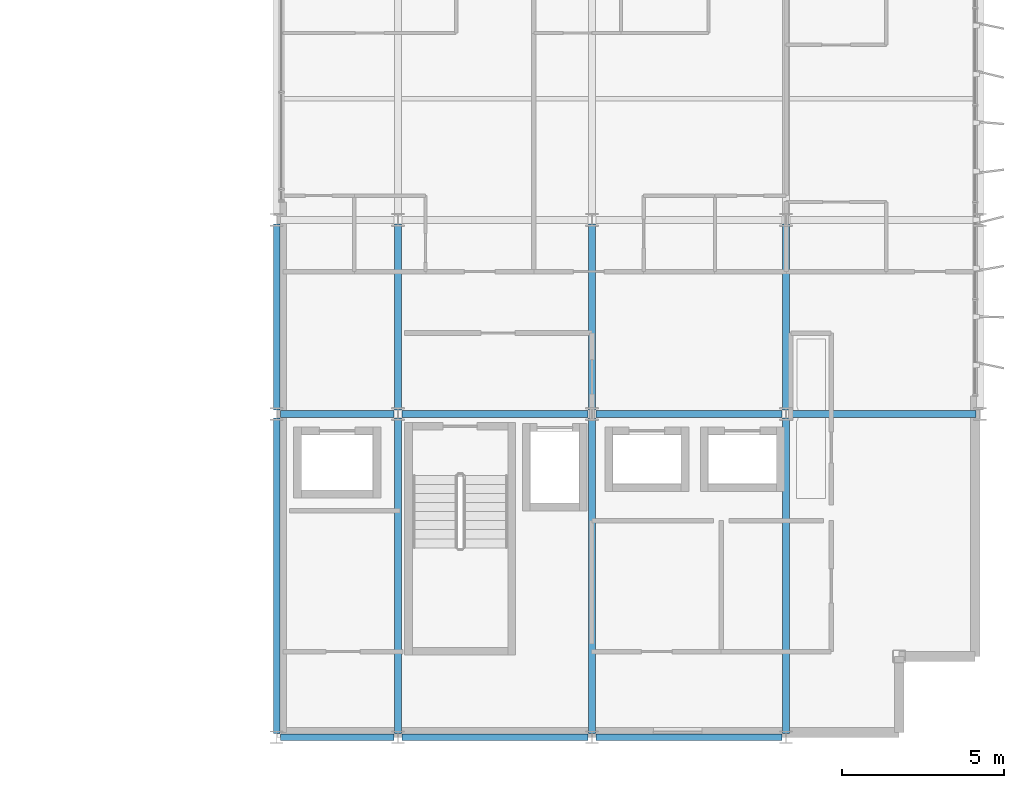
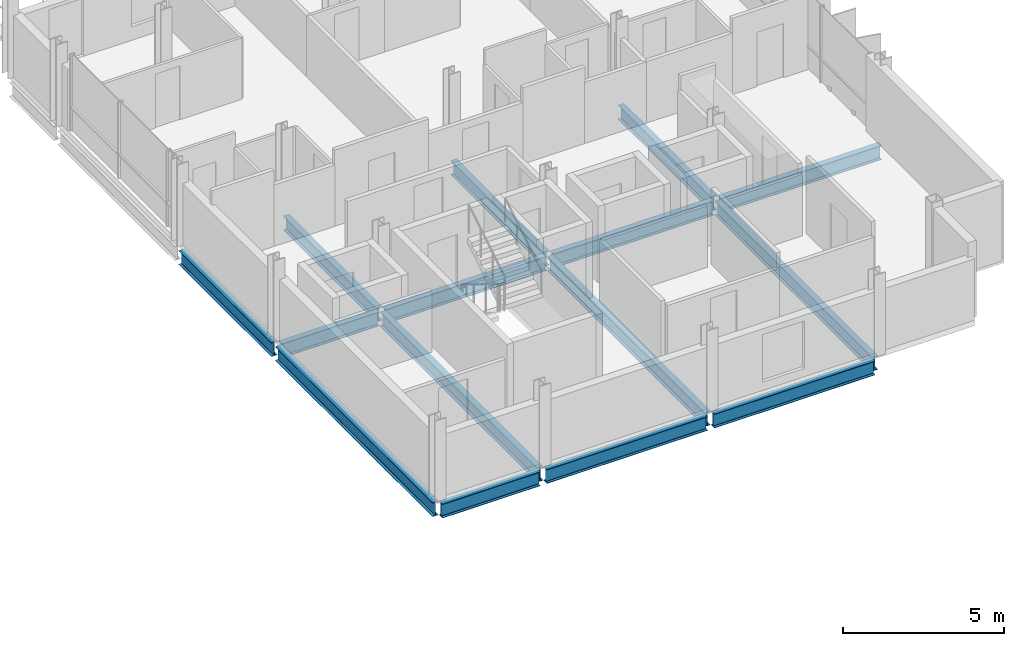
# One storey, part 9 of 29: 15 beams.
"""IFC4 building model written with IfcOpenShell, lengths in metres."""

from ifc_helpers import new_model, si_unit, direction, frame, origin, origin_2d, place, context, subcontext, project, spatial, i_section, extrude, material, material_profile, profile_set, type_object, element, save


model = new_model("IFC4")

# Units and contexts
model_context = context("Model", 3, precision=1e-05, world=origin(), true_north=direction((0.0, 1.0)))
body_context = subcontext(model_context, "Body", "Model", "MODEL_VIEW")
ifc_project = project(units=[si_unit("LENGTHUNIT", "METRE"), si_unit("AREAUNIT", "SQUARE_METRE"), si_unit("VOLUMEUNIT", "CUBIC_METRE"), si_unit("PLANEANGLEUNIT", "RADIAN"), si_unit("MASSUNIT", "GRAM", prefix="KILO")], contexts=[model_context])

# Site, building, storey
site_placement = place(None, origin())
site = spatial("IfcSite", under=ifc_project, at=site_placement, CompositionType="ELEMENT")
building_placement = place(site_placement, origin())
building = spatial("IfcBuilding", under=site, at=building_placement, Name="Brevholm Reach", CompositionType="ELEMENT")
storey_placement = place(building_placement, frame((0.0, 0.0, 198.699951171875)))
storey = spatial("IfcBuildingStorey", under=building, at=storey_placement, Name="L60", CompositionType="ELEMENT", Elevation=198.699951171875)

# Beams
ifc_material_1 = material(Name="Structural Steel S355J2", Category="steel")
ifc_material_profile_1 = material_profile(ifc_material_1, i_section(OverallWidth=0.209228515625, OverallDepth=0.533203125, WebThickness=0.010009765625, FlangeThickness=0.015625, FilletRadius=0.0126953125, at=origin_2d()), Name="UKB 533x210x92")
ifc_profile_set_1 = profile_set([ifc_material_profile_1], Name="Structural Steel S355J2")
beam_type_1 = type_object("IfcBeamType", Name="BM-SP533", PredefinedType="SPANDREL", material=ifc_profile_set_1)
beam_1_placement = place(storey_placement, frame((38.3701171875, 0.0, -0.4765625), z_axis=(1.0, 0.0, 0.0), x_axis=(0.0, 1.0, 0.0)))
element("IfcBeam", 1, at=beam_1_placement, inside=storey, type_object=beam_type_1, Name="L60 SP-02 Framing Beam", PredefinedType="SPANDREL", context=body_context, shape_type="SweptSolid", body=[
    extrude(i_section(OverallWidth=0.209228515625, OverallDepth=0.533203125, WebThickness=0.010009765625, FlangeThickness=0.015625, FilletRadius=0.0126953125, at=origin_2d()), origin(), (0.0, 0.0, 1.0), 3.509765625),
])
for number, where, z_axis, x_axis, name in (
    (2, (42.1201171875, 0.0, -0.4765625), (1.0, 0.0, 0.0), (0.0, 1.0, 0.0), "L60 SP-02 Framing Beam"),
    (3, (48.1201171875, 0.0, -0.4765625), (1.0, 0.0, 0.0), (0.0, 1.0, 0.0), "L60 SP-02 Framing Beam"),
):
    element("IfcBeam", number, at=place(storey_placement, frame(where, z_axis=z_axis, x_axis=x_axis)), inside=storey, type_object=beam_type_1, Name=name, PredefinedType="SPANDREL", context=body_context, shape_type="SweptSolid", body=[
        extrude(i_section(OverallWidth=0.209228515625, OverallDepth=0.533203125, WebThickness=0.010009765625, FlangeThickness=0.015625, FilletRadius=0.0126953125, at=origin_2d()), origin(), (0.0, 0.0, 1.0), 5.759765625),
    ])
beam_2_placement = place(storey_placement, frame((38.25, 0.1201171875, -0.4765625), z_axis=(0.0, 1.0, 0.0), x_axis=(-1.0, 0.0, 0.0)))
element("IfcBeam", 4, at=beam_2_placement, inside=storey, type_object=beam_type_1, Name="L60 SP-02 Framing Beam", PredefinedType="SPANDREL", context=body_context, shape_type="SweptSolid", body=[
    extrude(i_section(OverallWidth=0.209228515625, OverallDepth=0.533203125, WebThickness=0.010009765625, FlangeThickness=0.015625, FilletRadius=0.0126953125, at=origin_2d()), origin(), (0.0, 0.0, 1.0), 9.759765625),
])
beam_3_placement = place(storey_placement, frame((38.25, 10.1201171875, -0.4765625), z_axis=(0.0, 1.0, 0.0), x_axis=(-1.0, 0.0, 0.0)))
element("IfcBeam", 5, at=beam_3_placement, inside=storey, type_object=beam_type_1, Name="L60 SP-02 Framing Beam", PredefinedType="SPANDREL", context=body_context, shape_type="SweptSolid", body=[
    extrude(i_section(OverallWidth=0.209228515625, OverallDepth=0.533203125, WebThickness=0.010009765625, FlangeThickness=0.015625, FilletRadius=0.0126953125, at=origin_2d()), origin(), (0.0, 0.0, 1.0), 5.759765625),
])
ifc_material_2 = material(Name="Structural Steel S355J2", Category="steel")
ifc_material_profile_2 = material_profile(ifc_material_2, i_section(OverallWidth=0.210693359375, OverallDepth=0.53955078125, WebThickness=0.01171875, FlangeThickness=0.018798828125, FilletRadius=0.0126953125, at=origin_2d()), Name="UKB 533x210x109")
ifc_profile_set_2 = profile_set([ifc_material_profile_2], Name="Structural Steel S355J2")
beam_type_2 = type_object("IfcBeamType", Name="BM-SP539", PredefinedType="SPANDREL", material=ifc_profile_set_2)
beam_4_placement = place(storey_placement, frame((38.3701171875, 10.0, -0.479736328125), z_axis=(1.0, 0.0, 0.0), x_axis=(0.0, 1.0, 0.0)))
element("IfcBeam", 6, at=beam_4_placement, inside=storey, type_object=beam_type_2, Name="L60 SP-01B Framing Beam", PredefinedType="SPANDREL", context=body_context, shape_type="SweptSolid", body=[
    extrude(i_section(OverallWidth=0.210693359375, OverallDepth=0.53955078125, WebThickness=0.01171875, FlangeThickness=0.018798828125, FilletRadius=0.0126953125, at=origin_2d()), origin(), (0.0, 0.0, 1.0), 3.509765625),
])
for number, where, z_axis, x_axis, name in (
    (7, (42.1201171875, 10.0, -0.479736328125), (1.0, 0.0, 0.0), (0.0, 1.0, 0.0), "L60 SP-01B Framing Beam"),
    (8, (48.1201171875, 10.0, -0.479736328125), (1.0, 0.0, 0.0), (0.0, 1.0, 0.0), "L60 SP-01B Framing Beam"),
    (9, (54.1201171875, 10.0, -0.479736328125), (1.0, 0.0, 0.0), (0.0, 1.0, 0.0), "L60 SP-01B Framing Beam"),
):
    element("IfcBeam", number, at=place(storey_placement, frame(where, z_axis=z_axis, x_axis=x_axis)), inside=storey, type_object=beam_type_2, Name=name, PredefinedType="SPANDREL", context=body_context, shape_type="SweptSolid", body=[
        extrude(i_section(OverallWidth=0.210693359375, OverallDepth=0.53955078125, WebThickness=0.01171875, FlangeThickness=0.018798828125, FilletRadius=0.0126953125, at=origin_2d()), origin(), (0.0, 0.0, 1.0), 5.759765625),
    ])
beam_5_placement = place(storey_placement, frame((42.0, 0.1201171875, -0.479736328125), z_axis=(0.0, 1.0, 0.0), x_axis=(-1.0, 0.0, 0.0)))
element("IfcBeam", 10, at=beam_5_placement, inside=storey, type_object=beam_type_2, Name="L60 SP-01B Framing Beam", PredefinedType="SPANDREL", context=body_context, shape_type="SweptSolid", body=[
    extrude(i_section(OverallWidth=0.210693359375, OverallDepth=0.53955078125, WebThickness=0.01171875, FlangeThickness=0.018798828125, FilletRadius=0.0126953125, at=origin_2d()), origin(), (0.0, 0.0, 1.0), 9.759765625),
])
beam_6_placement = place(storey_placement, frame((42.0, 10.1201171875, -0.479736328125), z_axis=(0.0, 1.0, 0.0), x_axis=(-1.0, 0.0, 0.0)))
element("IfcBeam", 11, at=beam_6_placement, inside=storey, type_object=beam_type_2, Name="L60 SP-01B Framing Beam", PredefinedType="SPANDREL", context=body_context, shape_type="SweptSolid", body=[
    extrude(i_section(OverallWidth=0.210693359375, OverallDepth=0.53955078125, WebThickness=0.01171875, FlangeThickness=0.018798828125, FilletRadius=0.0126953125, at=origin_2d()), origin(), (0.0, 0.0, 1.0), 5.759765625),
])
beam_7_placement = place(storey_placement, frame((48.0, 0.1201171875, -0.479736328125), z_axis=(0.0, 1.0, 0.0), x_axis=(-1.0, 0.0, 0.0)))
element("IfcBeam", 12, at=beam_7_placement, inside=storey, type_object=beam_type_2, Name="L60 SP-01B Framing Beam", PredefinedType="SPANDREL", context=body_context, shape_type="SweptSolid", body=[
    extrude(i_section(OverallWidth=0.210693359375, OverallDepth=0.53955078125, WebThickness=0.01171875, FlangeThickness=0.018798828125, FilletRadius=0.0126953125, at=origin_2d()), origin(), (0.0, 0.0, 1.0), 9.759765625),
])
beam_8_placement = place(storey_placement, frame((48.0, 10.1201171875, -0.479736328125), z_axis=(0.0, 1.0, 0.0), x_axis=(-1.0, 0.0, 0.0)))
element("IfcBeam", 13, at=beam_8_placement, inside=storey, type_object=beam_type_2, Name="L60 SP-01B Framing Beam", PredefinedType="SPANDREL", context=body_context, shape_type="SweptSolid", body=[
    extrude(i_section(OverallWidth=0.210693359375, OverallDepth=0.53955078125, WebThickness=0.01171875, FlangeThickness=0.018798828125, FilletRadius=0.0126953125, at=origin_2d()), origin(), (0.0, 0.0, 1.0), 5.759765625),
])
beam_9_placement = place(storey_placement, frame((54.0, 0.1201171875, -0.479736328125), z_axis=(0.0, 1.0, 0.0), x_axis=(-1.0, 0.0, 0.0)))
element("IfcBeam", 14, at=beam_9_placement, inside=storey, type_object=beam_type_2, Name="L60 SP-01B Framing Beam", PredefinedType="SPANDREL", context=body_context, shape_type="SweptSolid", body=[
    extrude(i_section(OverallWidth=0.210693359375, OverallDepth=0.53955078125, WebThickness=0.01171875, FlangeThickness=0.018798828125, FilletRadius=0.0126953125, at=origin_2d()), origin(), (0.0, 0.0, 1.0), 9.759765625),
])
beam_10_placement = place(storey_placement, frame((54.0, 10.1201171875, -0.479736328125), z_axis=(0.0, 1.0, 0.0), x_axis=(-1.0, 0.0, 0.0)))
element("IfcBeam", 15, at=beam_10_placement, inside=storey, type_object=beam_type_2, Name="L60 SP-01B Framing Beam", PredefinedType="SPANDREL", context=body_context, shape_type="SweptSolid", body=[
    extrude(i_section(OverallWidth=0.210693359375, OverallDepth=0.53955078125, WebThickness=0.01171875, FlangeThickness=0.018798828125, FilletRadius=0.0126953125, at=origin_2d()), origin(), (0.0, 0.0, 1.0), 5.759765625),
])

save(model, "model.ifc")
